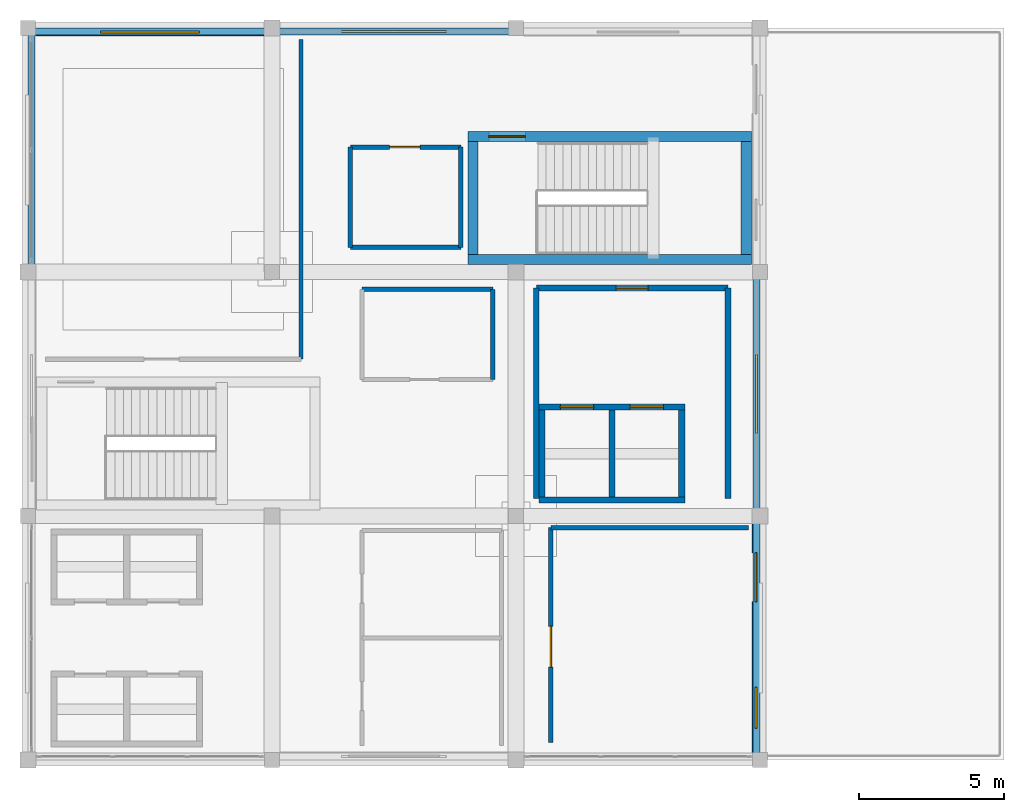
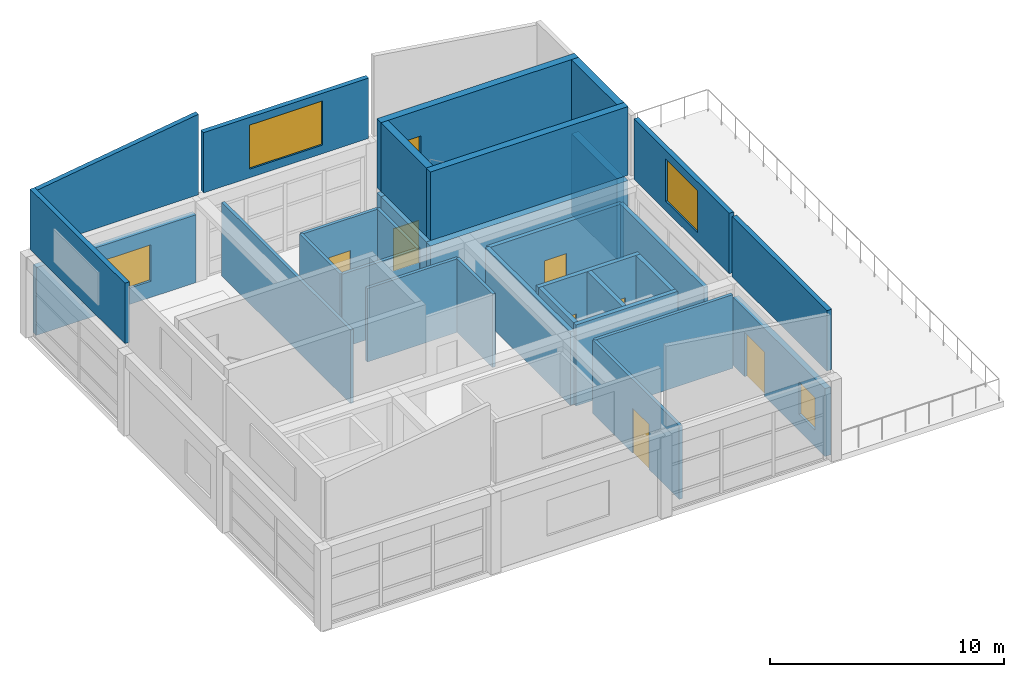
# One storey, part 15 of 17: 32 walls, 8 doors, 4 windows, 12 openings.
"""IFC4 building model written with IfcOpenShell, lengths in metres."""

from ifc_helpers import new_model, si_unit, direction, frame, frame_2d, origin, place, context, subcontext, project, spatial, polyline, rectangle, outline, extrude, material, layer, layer_set, type_object, element, fill, save


model = new_model("IFC4")

# Units and contexts
model_context = context("Model", 3, precision=1e-05, world=origin(), true_north=direction((0.0, 1.0)))
body_context = subcontext(model_context, "Body", "Model", "MODEL_VIEW")
ifc_project = project(units=[si_unit("LENGTHUNIT", "METRE"), si_unit("AREAUNIT", "SQUARE_METRE"), si_unit("VOLUMEUNIT", "CUBIC_METRE"), si_unit("PLANEANGLEUNIT", "RADIAN"), si_unit("MASSUNIT", "GRAM", prefix="KILO")], contexts=[model_context])

# Site, building, storey
site_placement = place(None, origin())
site = spatial("IfcSite", under=ifc_project, at=site_placement, CompositionType="ELEMENT")
building_placement = place(site_placement, origin())
building = spatial("IfcBuilding", under=site, at=building_placement, Name="Almacenes y Pasaje Nevantli", CompositionType="ELEMENT")
storey_placement = place(building_placement, frame((0.0, 0.0, 66.699951171875)))
storey = spatial("IfcBuildingStorey", under=building, at=storey_placement, Name="L16", CompositionType="ELEMENT", Elevation=66.699951171875)

# Wall, opening, door
ifc_material_1 = material(Name="Fire-Rated Concrete Blockwork", Category="masonry")
ifc_layer_1 = layer(ifc_material_1, 0.199951171875)
ifc_layer_set_1 = layer_set([ifc_layer_1], Name="Fire-Rated Concrete Blockwork")
wall_type_1 = type_object("IfcWallType", Name="WL-COMP-200", PredefinedType="PARTITIONING", material=ifc_layer_set_1)
wall_1_placement = place(storey_placement, frame((135.10009765625, 83.449951171875, 0.0), z_axis=(0.0, 0.0, 1.0), x_axis=(1.0, 0.0, 0.0)))
wall_1 = element("IfcWall", 1, at=wall_1_placement, inside=storey, type_object=wall_type_1, Name="L16 Interior Partition Wall IW-200 #276", PredefinedType="PARTITIONING", context=body_context, shape_type="SweptSolid", body=[
    extrude(rectangle(XDim=6.599853515625, YDim=0.199951171875, at=frame_2d((3.2998046875, 0.0))), origin(), (0.0, 0.0, 1.0), 3.840087890625),
])
opening_1_placement = place(wall_1_placement, frame((2.75, 0.0, 0.0)))
opening_1 = element("IfcOpeningElement", 2, at=opening_1_placement, cuts=wall_1, Name="Opening ID-L16-145", PredefinedType="OPENING", context=body_context, shape_type="SweptSolid", body=[
    extrude(rectangle(XDim=1.10009765625, YDim=2.199951171875, at=frame_2d((0.550048828125, 1.10009765625))), frame((0.0, 0.10986328125, 0.0), z_axis=(0.0, -1.0, 0.0), x_axis=(1.0, 0.0, 0.0)), (0.0, 0.0, 1.0), 0.219970703125),
])
ifc_material_2 = material(Name="Galvanized Fire-Rated Steel", Category="steel")
door_type_1 = type_object("IfcDoorType", Name="DR-FD90-1100R", OperationType="SINGLE_SWING_RIGHT", PredefinedType="DOOR", material=ifc_material_2)
door_1_placement = place(opening_1_placement, origin())
door_1 = element("IfcDoor", 3, at=door_1_placement, inside=storey, type_object=door_type_1, Name="L16 Firefighting Lobby Door", OperationType="SINGLE_SWING_RIGHT", OverallHeight=2.199951171875, OverallWidth=1.10009765625, PredefinedType="DOOR", context=body_context, shape_type="SweptSolid", body=[
    extrude(rectangle(XDim=1.10009765625, YDim=2.199951171875, at=frame_2d((0.550048828125, 1.10009765625))), frame((0.0, 0.02490234375, 0.0), z_axis=(0.0, -1.0, 0.0), x_axis=(1.0, 0.0, 0.0)), (0.0, 0.0, 1.0), 0.050048828125),
])
fill(opening_1, door_1)

# Walls
for number, where, z_axis, x_axis, name in (
    (4, (135.10009765625, 76.199951171875, 0.0), (0.0, 0.0, 1.0), (0.0, 1.0, 0.0), "L16 Interior Partition Wall IW-200 #277"),
    (5, (141.699951171875, 76.199951171875, 0.0), (0.0, 0.0, 1.0), (0.0, 1.0, 0.0), "L16 Interior Partition Wall IW-200 #278"),
):
    element("IfcWall", number, at=place(storey_placement, frame(where, z_axis=z_axis, x_axis=x_axis)), inside=storey, type_object=wall_type_1, Name=name, PredefinedType="PARTITIONING", context=body_context, shape_type="SweptSolid", body=[
        extrude(rectangle(XDim=7.25, YDim=0.199951171875, at=frame_2d((3.625, 0.0))), origin(), (0.0, 0.0, 1.0), 3.840087890625),
    ])
ifc_material_3 = material(Name="Concrete C45/55", Category="concrete")
ifc_layer_2 = layer(ifc_material_3, 0.35009765625)
ifc_layer_set_2 = layer_set([ifc_layer_2], Name="Concrete C45/55")
wall_type_2 = type_object("IfcWallType", Name="WL-CORE-350", PredefinedType="SHEAR", material=ifc_layer_set_2)
wall_2_placement = place(storey_placement, frame((132.75, 84.425048828125, 0.0), z_axis=(0.0, 0.0, 1.0), x_axis=(1.0, 0.0, 0.0)))
element("IfcWall", 6, at=wall_2_placement, inside=storey, type_object=wall_type_2, Name="L16 Exit Stair ST-02 South Core Shear Wall", PredefinedType="SHEAR", context=body_context, shape_type="SweptSolid", body=[
    extrude(rectangle(XDim=9.75, YDim=0.35009765625, at=frame_2d((4.875, 0.0))), origin(), (0.0, 0.0, 1.0), 4.219970703125),
])

# Wall, opening, door
wall_3_placement = place(storey_placement, frame((132.75, 88.6650390625, 0.0), z_axis=(0.0, 0.0, 1.0), x_axis=(1.0, 0.0, 0.0)))
wall_3 = element("IfcWall", 7, at=wall_3_placement, inside=storey, type_object=wall_type_2, Name="L16 Exit Stair ST-02 North Core Shear Wall", PredefinedType="SHEAR", context=body_context, shape_type="SweptSolid", body=[
    extrude(rectangle(XDim=9.75, YDim=0.35009765625, at=frame_2d((4.875, 0.0))), origin(), (0.0, 0.0, 1.0), 4.219970703125),
])
opening_2_placement = place(wall_3_placement, frame((0.719970703125, 0.0, 0.0)))
opening_2 = element("IfcOpeningElement", 8, at=opening_2_placement, cuts=wall_3, Name="Opening SD-02-L16", PredefinedType="OPENING", context=body_context, shape_type="SweptSolid", body=[
    extrude(rectangle(XDim=1.25, YDim=2.199951171875, at=frame_2d((0.625, 1.10009765625))), frame((0.0, 0.18505859375, 0.0), z_axis=(0.0, -1.0, 0.0), x_axis=(1.0, 0.0, 0.0)), (0.0, 0.0, 1.0), 0.3701171875),
])
ifc_material_4 = material(Name="Galvanized Fire-Rated Steel", Category="steel")
door_type_2 = type_object("IfcDoorType", Name="DR-STAIR-1250R", OperationType="SINGLE_SWING_RIGHT", PredefinedType="DOOR", material=ifc_material_4)
door_2_placement = place(opening_2_placement, origin())
door_2 = element("IfcDoor", 9, at=door_2_placement, inside=storey, type_object=door_type_2, Name="L16 Smokeproof Exit Stair ST-02 Fire Door", OperationType="SINGLE_SWING_RIGHT", OverallHeight=2.199951171875, OverallWidth=1.25, PredefinedType="DOOR", context=body_context, shape_type="SweptSolid", body=[
    extrude(rectangle(XDim=1.25, YDim=2.199951171875, at=frame_2d((0.625, 1.10009765625))), frame((0.0, 0.02490234375, 0.0), z_axis=(0.0, -1.0, 0.0), x_axis=(1.0, 0.0, 0.0)), (0.0, 0.0, 1.0), 0.050048828125),
])
fill(opening_2, door_2)

# Walls
for number, where, z_axis, x_axis, name in (
    (10, (132.925048828125, 84.60009765625, 0.0), (0.0, 0.0, 1.0), (0.0, 1.0, 0.0), "L16 Exit Stair ST-02 West Core Shear Wall"),
    (11, (142.324951171875, 84.60009765625, 0.0), (0.0, 0.0, 1.0), (0.0, 1.0, 0.0), "L16 Exit Stair ST-02 East Core Shear Wall"),
):
    element("IfcWall", number, at=place(storey_placement, frame(where, z_axis=z_axis, x_axis=x_axis)), inside=storey, type_object=wall_type_2, Name=name, PredefinedType="SHEAR", context=body_context, shape_type="SweptSolid", body=[
        extrude(rectangle(XDim=3.889892578125, YDim=0.35009765625, at=frame_2d((1.94482421875, 0.0))), origin(), (0.0, 0.0, 1.0), 4.219970703125),
    ])
wall_4_placement = place(storey_placement, frame((132.75, 84.425048828125, 4.5), z_axis=(0.0, 0.0, 1.0), x_axis=(1.0, 0.0, 0.0)))
element("IfcWall", 12, at=wall_4_placement, inside=storey, type_object=wall_type_2, Name="L16 Crown Stair ST-02 Headhouse South Wall", PredefinedType="SHEAR", context=body_context, shape_type="SweptSolid", body=[
    extrude(rectangle(XDim=9.75, YDim=0.35009765625, at=frame_2d((4.875, 0.0))), origin(), (0.0, 0.0, 1.0), 3.580078125),
])

# Wall, opening, door
wall_5_placement = place(storey_placement, frame((132.75, 88.6650390625, 4.5), z_axis=(0.0, 0.0, 1.0), x_axis=(1.0, 0.0, 0.0)))
wall_5 = element("IfcWall", 13, at=wall_5_placement, inside=storey, type_object=wall_type_2, Name="L16 Crown Stair ST-02 Headhouse North Wall", PredefinedType="SHEAR", context=body_context, shape_type="SweptSolid", body=[
    extrude(rectangle(XDim=9.75, YDim=0.35009765625, at=frame_2d((4.875, 0.0))), origin(), (0.0, 0.0, 1.0), 3.580078125),
])
opening_3_placement = place(wall_5_placement, frame((0.719970703125, 0.0, 0.0)))
opening_3 = element("IfcOpeningElement", 14, at=opening_3_placement, cuts=wall_5, Name="Opening SD-02-CR", PredefinedType="OPENING", context=body_context, shape_type="SweptSolid", body=[
    extrude(rectangle(XDim=1.25, YDim=2.199951171875, at=frame_2d((0.625, 1.10009765625))), frame((0.0, 0.18505859375, 0.0), z_axis=(0.0, -1.0, 0.0), x_axis=(1.0, 0.0, 0.0)), (0.0, 0.0, 1.0), 0.3701171875),
])
ifc_material_5 = material(Name="Galvanized Fire-Rated Steel", Category="steel")
door_type_3 = type_object("IfcDoorType", Name="DR-STAIR-1250", OperationType="SINGLE_SWING_LEFT", PredefinedType="DOOR", material=ifc_material_5)
door_3_placement = place(opening_3_placement, origin())
door_3 = element("IfcDoor", 15, at=door_3_placement, inside=storey, type_object=door_type_3, Name="L16 Crown Mechanical Penthouse Stair ST-02 Door", OperationType="SINGLE_SWING_LEFT", OverallHeight=2.199951171875, OverallWidth=1.25, PredefinedType="DOOR", context=body_context, shape_type="SweptSolid", body=[
    extrude(rectangle(XDim=1.25, YDim=2.199951171875, at=frame_2d((0.625, 1.10009765625))), frame((0.0, 0.02490234375, 0.0), z_axis=(0.0, -1.0, 0.0), x_axis=(1.0, 0.0, 0.0)), (0.0, 0.0, 1.0), 0.050048828125),
])
fill(opening_3, door_3)

# Walls
for number, where, z_axis, x_axis, name in (
    (16, (132.925048828125, 84.60009765625, 4.5), (0.0, 0.0, 1.0), (0.0, 1.0, 0.0), "L16 Crown Stair ST-02 Headhouse West Wall"),
    (17, (142.324951171875, 84.60009765625, 4.5), (0.0, 0.0, 1.0), (0.0, 1.0, 0.0), "L16 Crown Stair ST-02 Headhouse East Wall"),
):
    element("IfcWall", number, at=place(storey_placement, frame(where, z_axis=z_axis, x_axis=x_axis)), inside=storey, type_object=wall_type_2, Name=name, PredefinedType="SHEAR", context=body_context, shape_type="SweptSolid", body=[
        extrude(rectangle(XDim=3.889892578125, YDim=0.35009765625, at=frame_2d((1.94482421875, 0.0))), origin(), (0.0, 0.0, 1.0), 3.580078125),
    ])

# Wall, opening, window
ifc_material_6 = material(Name="Architectural Precast Concrete C35/45 Spandrel Wall", Category="concrete")
ifc_layer_3 = layer(ifc_material_6, 0.280029296875)
ifc_layer_set_3 = layer_set([ifc_layer_3], Name="Architectural Precast Concrete C35/45 Spandrel Wall")
wall_type_3 = type_object("IfcWallType", Name="WL-EXT-CANTERA-280", PredefinedType="SOLIDWALL", material=ifc_layer_set_3)
wall_6_placement = place(storey_placement, frame((117.85205078125, 92.260009765625, 0.0), z_axis=(0.0, 0.0, 1.0), x_axis=(1.0, 0.0, 0.0)))
wall_6 = element("IfcWall", 18, at=wall_6_placement, inside=storey, type_object=wall_type_3, Name="L16 Tower North Polychrome Cantera Wall Bay 15", PredefinedType="SOLIDWALL", context=body_context, shape_type="SweptSolid", body=[
    extrude(rectangle(XDim=7.869873046875, YDim=0.280029296875, at=frame_2d((3.93505859375, 0.0))), origin(), (0.0, 0.0, 1.0), 3.5400390625),
])
opening_4_placement = place(wall_6_placement, frame((2.248046875, 0.0, 0.85009765625)))
opening_4 = element("IfcOpeningElement", 19, at=opening_4_placement, cuts=wall_6, Name="Opening WT-27-282", PredefinedType="OPENING", context=body_context, shape_type="SweptSolid", body=[
    extrude(rectangle(XDim=3.39990234375, YDim=1.89990234375, at=frame_2d((1.699951171875, 0.949951171875))), frame((0.0, 0.14990234375, 0.0), z_axis=(0.0, -1.0, 0.0), x_axis=(1.0, 0.0, 0.0)), (0.0, 0.0, 1.0), 0.300048828125),
])
ifc_material_7 = material(Name="Thermally Broken Aluminium and Low-E Double Glazing", Category="aluminium")
window_type_1 = type_object("IfcWindowType", Name="WN-TWR-3400x1900", PartitioningType="SINGLE_PANEL", PredefinedType="WINDOW", material=ifc_material_7)
window_1_placement = place(opening_4_placement, origin())
window_1 = element("IfcWindow", 20, at=window_1_placement, inside=storey, type_object=window_type_1, Name="L16 Exterior Window WT-27 #282", OverallHeight=1.89990234375, OverallWidth=3.39990234375, PartitioningType="SINGLE_PANEL", PredefinedType="WINDOW", context=body_context, shape_type="SweptSolid", body=[
    extrude(rectangle(XDim=3.39990234375, YDim=1.89990234375, at=frame_2d((1.699951171875, 0.949951171875))), frame((0.0, 0.030029296875, 0.0), z_axis=(0.0, -1.0, 0.0), x_axis=(1.0, 0.0, 0.0)), (0.0, 0.0, 1.0), 0.06005859375),
])
fill(opening_4, window_1)

# Wall, openings, door, window
wall_7_placement = place(storey_placement, frame((142.659912109375, 67.4541015625, 0.0), z_axis=(0.0, 0.0, 1.0), x_axis=(0.0, 1.0, 0.0)))
wall_7 = element("IfcWall", 21, at=wall_7_placement, inside=storey, type_object=wall_type_3, Name="L16 Penthouse East Belvedere Terrace Wall Bay 9", PredefinedType="SOLIDWALL", context=body_context, shape_type="SweptSolid", body=[
    extrude(rectangle(XDim=7.867919921875, YDim=0.280029296875, at=frame_2d((3.93408203125, 0.0))), origin(), (0.0, 0.0, 1.0), 3.5400390625),
])
opening_5_placement = place(wall_7_placement, frame((0.845947265625, 0.0, 0.85009765625)))
opening_5 = element("IfcOpeningElement", 22, at=opening_5_placement, cuts=wall_7, Name="Opening WT-34-285", PredefinedType="OPENING", context=body_context, shape_type="SweptSolid", body=[
    extrude(rectangle(XDim=1.39990234375, YDim=1.699951171875, at=frame_2d((0.699951171875, 0.85009765625))), frame((0.0, 0.14990234375, 0.0), z_axis=(0.0, -1.0, 0.0), x_axis=(1.0, 0.0, 0.0)), (0.0, 0.0, 1.0), 0.300048828125),
])
opening_6_placement = place(wall_7_placement, frame((5.196044921875, 0.0, 0.0)))
opening_6 = element("IfcOpeningElement", 23, at=opening_6_placement, cuts=wall_7, Name="Opening ED-L16-043", PredefinedType="OPENING", context=body_context, shape_type="SweptSolid", body=[
    extrude(rectangle(XDim=1.679931640625, YDim=2.300048828125, at=frame_2d((0.83984375, 1.14990234375))), frame((0.0, 0.14990234375, 0.0), z_axis=(0.0, -1.0, 0.0), x_axis=(1.0, 0.0, 0.0)), (0.0, 0.0, 1.0), 0.300048828125),
])
ifc_material_8 = material(Name="Anodized Aluminium and Safety Glass", Category="aluminium")
door_type_4 = type_object("IfcDoorType", Name="DR-EXT-TER-1680", OperationType="DOUBLE_DOOR_SINGLE_SWING", PredefinedType="DOOR", material=ifc_material_8)
door_4_placement = place(opening_6_placement, origin())
door_4 = element("IfcDoor", 24, at=door_4_placement, inside=storey, type_object=door_type_4, Name="L16 Penthouse to Belvedere Terrace Door #1", OperationType="DOUBLE_DOOR_SINGLE_SWING", OverallHeight=2.300048828125, OverallWidth=1.679931640625, PredefinedType="DOOR", context=body_context, shape_type="SweptSolid", body=[
    extrude(rectangle(XDim=1.679931640625, YDim=2.300048828125, at=frame_2d((0.83984375, 1.14990234375))), frame((0.0, 0.02490234375, 0.0), z_axis=(0.0, -1.0, 0.0), x_axis=(1.0, 0.0, 0.0)), (0.0, 0.0, 1.0), 0.050048828125),
])
fill(opening_6, door_4)
ifc_material_9 = material(Name="Thermally Broken Aluminium and Low-E Double Glazing", Category="aluminium")
window_type_2 = type_object("IfcWindowType", Name="WN-TWR-1400x1700", PartitioningType="SINGLE_PANEL", PredefinedType="WINDOW", material=ifc_material_9)
window_2_placement = place(opening_5_placement, origin())
window_2 = element("IfcWindow", 25, at=window_2_placement, inside=storey, type_object=window_type_2, Name="L16 Exterior Window WT-34 #285", OverallHeight=1.699951171875, OverallWidth=1.39990234375, PartitioningType="SINGLE_PANEL", PredefinedType="WINDOW", context=body_context, shape_type="SweptSolid", body=[
    extrude(rectangle(XDim=1.39990234375, YDim=1.699951171875, at=frame_2d((0.699951171875, 0.85009765625))), frame((0.0, 0.030029296875, 0.0), z_axis=(0.0, -1.0, 0.0), x_axis=(1.0, 0.0, 0.0)), (0.0, 0.0, 1.0), 0.06005859375),
])
fill(opening_5, window_2)

# Wall
ifc_material_10 = material(Name="Architectural Precast Concrete C35/45 Crown Wall", Category="concrete")
ifc_layer_4 = layer(ifc_material_10, 0.22998046875)
ifc_layer_set_4 = layer_set([ifc_layer_4], Name="Architectural Precast Concrete C35/45 Crown Wall")
wall_type_4 = type_object("IfcWallType", Name="WL-EXT-CROWN-230", PredefinedType="SOLIDWALL", material=ifc_layer_set_4)
wall_8_placement = place(storey_placement, frame((117.76611328125, 92.280029296875, 4.5), z_axis=(0.0, 0.0, 1.0), x_axis=(1.0, 0.0, 0.0)))
element("IfcWall", 26, at=wall_8_placement, inside=storey, type_object=wall_type_4, Name="L16 Broken-Pediment Crown North West Wing Wall", PredefinedType="SOLIDWALL", context=body_context, shape_type="SweptSolid", body=[
    extrude(outline(polyline([(0.0, 0.0), (8.10400390625, 0.0), (8.10400390625, 4.199951171875), (4.052001953125, 3.60009765625), (0.0, 3.0), (0.0, 0.0)])), frame((0.0, 0.114990234375, 0.0), z_axis=(0.0, -1.0, 0.0), x_axis=(1.0, 0.0, 0.0)), (0.0, 0.0, 1.0), 0.22998046875),
])

# Wall, opening, window
wall_9_placement = place(storey_placement, frame((126.1298828125, 92.280029296875, 4.5), z_axis=(0.0, 0.0, 1.0), x_axis=(1.0, 0.0, 0.0)))
wall_9 = element("IfcWall", 27, at=wall_9_placement, inside=storey, type_object=wall_type_4, Name="L16 Broken-Pediment Crown North Central Oculus Wall", PredefinedType="SOLIDWALL", context=body_context, shape_type="SweptSolid", body=[
    extrude(rectangle(XDim=8.14013671875, YDim=0.22998046875, at=frame_2d((4.070068359375, 0.0))), origin(), (0.0, 0.0, 1.0), 3.150146484375),
])
opening_7_placement = place(wall_9_placement, frame((2.27001953125, 0.0, 0.449951171875)))
opening_7 = element("IfcOpeningElement", 28, at=opening_7_placement, cuts=wall_9, Name="Opening WT-01-288", PredefinedType="OPENING", context=body_context, shape_type="SweptSolid", body=[
    extrude(rectangle(XDim=3.60009765625, YDim=2.300048828125, at=frame_2d((1.800048828125, 1.14990234375))), frame((0.0, 0.125, 0.0), z_axis=(0.0, -1.0, 0.0), x_axis=(1.0, 0.0, 0.0)), (0.0, 0.0, 1.0), 0.25),
])
ifc_material_11 = material(Name="Thermally Broken Aluminium and Low-E Double Glazing", Category="aluminium")
window_type_3 = type_object("IfcWindowType", Name="WN-OCU-3600", PartitioningType="SINGLE_PANEL", PredefinedType="WINDOW", material=ifc_material_11)
window_3_placement = place(opening_7_placement, origin())
window_3 = element("IfcWindow", 29, at=window_3_placement, inside=storey, type_object=window_type_3, Name="L16 Exterior Window WT-01 #288", OverallHeight=2.300048828125, OverallWidth=3.60009765625, PartitioningType="SINGLE_PANEL", PredefinedType="WINDOW", context=body_context, shape_type="SweptSolid", body=[
    extrude(rectangle(XDim=3.60009765625, YDim=2.300048828125, at=frame_2d((1.800048828125, 1.14990234375))), frame((0.0, 0.030029296875, 0.0), z_axis=(0.0, -1.0, 0.0), x_axis=(1.0, 0.0, 0.0)), (0.0, 0.0, 1.0), 0.06005859375),
])
fill(opening_7, window_3)

# Walls
for number, where, z_axis, x_axis, name in (
    (30, (117.719970703125, 84.1298828125, 4.5), (0.0, 0.0, 1.0), (0.0, 1.0, 0.0), "L16 Crown West Enclosure Wall Bay 3"),
    (31, (142.679931640625, 67.365966796875, 4.5), (0.0, 0.0, 1.0), (0.0, 1.0, 0.0), "L16 Crown East Enclosure Wall Bay 1"),
):
    element("IfcWall", number, at=place(storey_placement, frame(where, z_axis=z_axis, x_axis=x_axis)), inside=storey, type_object=wall_type_4, Name=name, PredefinedType="SOLIDWALL", context=body_context, shape_type="SweptSolid", body=[
        extrude(rectangle(XDim=8.10400390625, YDim=0.22998046875, at=frame_2d((4.052001953125, 0.0))), origin(), (0.0, 0.0, 1.0), 3.150146484375),
    ])

# Wall, opening, window
wall_10_placement = place(storey_placement, frame((142.679931640625, 75.72998046875, 4.5), z_axis=(0.0, 0.0, 1.0), x_axis=(0.0, 1.0, 0.0)))
wall_10 = element("IfcWall", 32, at=wall_10_placement, inside=storey, type_object=wall_type_4, Name="L16 Crown East Enclosure Wall Bay 2", PredefinedType="SOLIDWALL", context=body_context, shape_type="SweptSolid", body=[
    extrude(rectangle(XDim=8.14013671875, YDim=0.22998046875, at=frame_2d((4.070068359375, 0.0))), origin(), (0.0, 0.0, 1.0), 3.150146484375),
])
opening_8_placement = place(wall_10_placement, frame((2.719970703125, 0.0, 0.5)))
opening_8 = element("IfcOpeningElement", 33, at=opening_8_placement, cuts=wall_10, Name="Opening WT-04-291", PredefinedType="OPENING", context=body_context, shape_type="SweptSolid", body=[
    extrude(rectangle(XDim=2.699951171875, YDim=2.199951171875, at=frame_2d((1.35009765625, 1.10009765625))), frame((0.0, 0.125, 0.0), z_axis=(0.0, -1.0, 0.0), x_axis=(1.0, 0.0, 0.0)), (0.0, 0.0, 1.0), 0.25),
])
ifc_material_12 = material(Name="Thermally Broken Aluminium and Low-E Double Glazing", Category="aluminium")
window_type_4 = type_object("IfcWindowType", Name="WN-OCU-2700", PartitioningType="SINGLE_PANEL", PredefinedType="WINDOW", material=ifc_material_12)
window_4_placement = place(opening_8_placement, origin())
window_4 = element("IfcWindow", 34, at=window_4_placement, inside=storey, type_object=window_type_4, Name="L16 Exterior Window WT-04 #291", OverallHeight=2.199951171875, OverallWidth=2.699951171875, PartitioningType="SINGLE_PANEL", PredefinedType="WINDOW", context=body_context, shape_type="SweptSolid", body=[
    extrude(rectangle(XDim=2.699951171875, YDim=2.199951171875, at=frame_2d((1.35009765625, 1.10009765625))), frame((0.0, 0.030029296875, 0.0), z_axis=(0.0, -1.0, 0.0), x_axis=(1.0, 0.0, 0.0)), (0.0, 0.0, 1.0), 0.06005859375),
])
fill(opening_8, window_4)

# Walls
ifc_material_13 = material(Name="Acoustic Steel-Stud Gypsum Partition", Category="steel")
ifc_layer_5 = layer(ifc_material_13, 0.14990234375)
ifc_layer_set_5 = layer_set([ifc_layer_5], Name="Acoustic Steel-Stud Gypsum Partition")
wall_type_5 = type_object("IfcWallType", Name="WL-PART-150", PredefinedType="PARTITIONING", material=ifc_layer_set_5)
wall_11_placement = place(storey_placement, frame((129.10009765625, 83.39990234375, 0.0), z_axis=(0.0, 0.0, 1.0), x_axis=(1.0, 0.0, 0.0)))
element("IfcWall", 35, at=wall_11_placement, inside=storey, type_object=wall_type_5, Name="L16 Interior Partition Wall IW-150 #280", PredefinedType="PARTITIONING", context=body_context, shape_type="SweptSolid", body=[
    extrude(rectangle(XDim=4.5, YDim=0.14990234375, at=frame_2d((2.25, 0.0))), origin(), (0.0, 0.0, 1.0), 3.840087890625),
])
wall_12_placement = place(storey_placement, frame((133.60009765625, 80.300048828125, 0.0), z_axis=(0.0, 0.0, 1.0), x_axis=(0.0, 1.0, 0.0)))
element("IfcWall", 36, at=wall_12_placement, inside=storey, type_object=wall_type_5, Name="L16 Interior Partition Wall IW-150 #282", PredefinedType="PARTITIONING", context=body_context, shape_type="SweptSolid", body=[
    extrude(rectangle(XDim=3.099853515625, YDim=0.14990234375, at=frame_2d((1.5498046875, 0.0))), origin(), (0.0, 0.0, 1.0), 3.840087890625),
])

# Wall, opening, door
wall_13_placement = place(storey_placement, frame((128.699951171875, 88.300048828125, 0.0), z_axis=(0.0, 0.0, 1.0), x_axis=(1.0, 0.0, 0.0)))
wall_13 = element("IfcWall", 37, at=wall_13_placement, inside=storey, type_object=wall_type_5, Name="L16 Interior Partition Wall IW-150 #283", PredefinedType="PARTITIONING", context=body_context, shape_type="SweptSolid", body=[
    extrude(rectangle(XDim=3.800048828125, YDim=0.14990234375, at=frame_2d((1.89990234375, 0.0))), origin(), (0.0, 0.0, 1.0), 3.840087890625),
])
opening_9_placement = place(wall_13_placement, frame((1.35009765625, 0.0, 0.0)))
opening_9 = element("IfcOpeningElement", 38, at=opening_9_placement, cuts=wall_13, Name="Opening ID-L16-147", PredefinedType="OPENING", context=body_context, shape_type="SweptSolid", body=[
    extrude(rectangle(XDim=1.050048828125, YDim=2.14990234375, at=frame_2d((0.52490234375, 1.074951171875))), frame((0.0, 0.0849609375, 0.0), z_axis=(0.0, -1.0, 0.0), x_axis=(1.0, 0.0, 0.0)), (0.0, 0.0, 1.0), 0.169921875),
])
ifc_material_14 = material(Name="Powder-Coated Hollow Metal", Category="steel")
door_type_5 = type_object("IfcDoorType", Name="DR-ACC-1050", OperationType="SINGLE_SWING_RIGHT", PredefinedType="DOOR", material=ifc_material_14)
door_5_placement = place(opening_9_placement, origin())
door_5 = element("IfcDoor", 39, at=door_5_placement, inside=storey, type_object=door_type_5, Name="L16 Accessible WC Door", OperationType="SINGLE_SWING_RIGHT", OverallHeight=2.14990234375, OverallWidth=1.050048828125, PredefinedType="DOOR", context=body_context, shape_type="SweptSolid", body=[
    extrude(rectangle(XDim=1.050048828125, YDim=2.14990234375, at=frame_2d((0.52490234375, 1.074951171875))), frame((0.0, 0.02490234375, 0.0), z_axis=(0.0, -1.0, 0.0), x_axis=(1.0, 0.0, 0.0)), (0.0, 0.0, 1.0), 0.050048828125),
])
fill(opening_9, door_5)

# Walls
wall_14_placement = place(storey_placement, frame((128.699951171875, 84.85009765625, 0.0), z_axis=(0.0, 0.0, 1.0), x_axis=(1.0, 0.0, 0.0)))
element("IfcWall", 40, at=wall_14_placement, inside=storey, type_object=wall_type_5, Name="L16 Interior Partition Wall IW-150 #284", PredefinedType="PARTITIONING", context=body_context, shape_type="SweptSolid", body=[
    extrude(rectangle(XDim=3.800048828125, YDim=0.14990234375, at=frame_2d((1.89990234375, 0.0))), origin(), (0.0, 0.0, 1.0), 3.840087890625),
])
for number, where, z_axis, x_axis, name in (
    (41, (128.699951171875, 84.85009765625, 0.0), (0.0, 0.0, 1.0), (0.0, 1.0, 0.0), "L16 Interior Partition Wall IW-150 #285"),
    (42, (132.5, 84.85009765625, 0.0), (0.0, 0.0, 1.0), (0.0, 1.0, 0.0), "L16 Interior Partition Wall IW-150 #286"),
):
    element("IfcWall", number, at=place(storey_placement, frame(where, z_axis=z_axis, x_axis=x_axis)), inside=storey, type_object=wall_type_5, Name=name, PredefinedType="PARTITIONING", context=body_context, shape_type="SweptSolid", body=[
        extrude(rectangle(XDim=3.449951171875, YDim=0.14990234375, at=frame_2d((1.72509765625, 0.0))), origin(), (0.0, 0.0, 1.0), 3.840087890625),
    ])
wall_15_placement = place(storey_placement, frame((127.0, 81.0, 0.0), z_axis=(0.0, 0.0, 1.0), x_axis=(0.0, 1.0, 0.0)))
element("IfcWall", 43, at=wall_15_placement, inside=storey, type_object=wall_type_5, Name="L16 Interior Partition Wall IW-150 #292", PredefinedType="PARTITIONING", context=body_context, shape_type="SweptSolid", body=[
    extrude(rectangle(XDim=11.0, YDim=0.14990234375, at=frame_2d((5.5, 0.0))), origin(), (0.0, 0.0, 1.0), 3.840087890625),
])

# Wall, opening, door
wall_16_placement = place(storey_placement, frame((135.60009765625, 67.800048828125, 0.0), z_axis=(0.0, 0.0, 1.0), x_axis=(0.0, 1.0, 0.0)))
wall_16 = element("IfcWall", 44, at=wall_16_placement, inside=storey, type_object=wall_type_5, Name="L16 Interior Partition Wall IW-150 #293", PredefinedType="PARTITIONING", context=body_context, shape_type="SweptSolid", body=[
    extrude(rectangle(XDim=7.39990234375, YDim=0.14990234375, at=frame_2d((3.699951171875, 0.0))), origin(), (0.0, 0.0, 1.0), 3.840087890625),
])
opening_10_placement = place(wall_16_placement, frame((2.60009765625, 0.0, 0.0)))
opening_10 = element("IfcOpeningElement", 45, at=opening_10_placement, cuts=wall_16, Name="Opening ID-L16-151", PredefinedType="OPENING", context=body_context, shape_type="SweptSolid", body=[
    extrude(rectangle(XDim=1.39990234375, YDim=2.35009765625, at=frame_2d((0.699951171875, 1.175048828125))), frame((0.0, 0.0849609375, 0.0), z_axis=(0.0, -1.0, 0.0), x_axis=(1.0, 0.0, 0.0)), (0.0, 0.0, 1.0), 0.169921875),
])
ifc_material_15 = material(Name="Framed Tempered Safety Glass", Category="glass")
door_type_6 = type_object("IfcDoorType", Name="DR-GLZ-1400", OperationType="DOUBLE_DOOR_SINGLE_SWING", PredefinedType="DOOR", material=ifc_material_15)
door_6_placement = place(opening_10_placement, origin())
door_6 = element("IfcDoor", 46, at=door_6_placement, inside=storey, type_object=door_type_6, Name="L16 L16 Penthouse Reception Door", OperationType="DOUBLE_DOOR_SINGLE_SWING", OverallHeight=2.35009765625, OverallWidth=1.39990234375, PredefinedType="DOOR", context=body_context, shape_type="SweptSolid", body=[
    extrude(rectangle(XDim=1.39990234375, YDim=2.35009765625, at=frame_2d((0.699951171875, 1.175048828125))), frame((0.0, 0.02490234375, 0.0), z_axis=(0.0, -1.0, 0.0), x_axis=(1.0, 0.0, 0.0)), (0.0, 0.0, 1.0), 0.050048828125),
])
fill(opening_10, door_6)

# Walls
wall_17_placement = place(storey_placement, frame((135.60009765625, 75.199951171875, 0.0), z_axis=(0.0, 0.0, 1.0), x_axis=(1.0, 0.0, 0.0)))
element("IfcWall", 47, at=wall_17_placement, inside=storey, type_object=wall_type_5, Name="L16 Interior Partition Wall IW-150 #294", PredefinedType="PARTITIONING", context=body_context, shape_type="SweptSolid", body=[
    extrude(rectangle(XDim=6.7998046875, YDim=0.14990234375, at=frame_2d((3.39990234375, 0.0))), origin(), (0.0, 0.0, 1.0), 3.840087890625),
])
ifc_material_16 = material(Name="Concrete C45/55", Category="concrete")
ifc_layer_6 = layer(ifc_material_16, 0.2099609375)
ifc_layer_set_6 = layer_set([ifc_layer_6], Name="Concrete C45/55")
wall_type_6 = type_object("IfcWallType", Name="WL-SHAFT-210", PredefinedType="SHEAR", material=ifc_layer_set_6)
wall_18_placement = place(storey_placement, frame((135.18994140625, 76.14501953125, 0.0), z_axis=(0.0, 0.0, 1.0), x_axis=(1.0, 0.0, 0.0)))
element("IfcWall", 48, at=wall_18_placement, inside=storey, type_object=wall_type_6, Name="L16 Lift Hoistway ELV-FF1-ELV-FF2 South Wall", PredefinedType="SHEAR", context=body_context, shape_type="SweptSolid", body=[
    extrude(rectangle(XDim=5.02001953125, YDim=0.2099609375, at=frame_2d((2.510009765625, 0.0))), origin(), (0.0, 0.0, 1.0), 4.219970703125),
])

# Wall, openings, doors
wall_19_placement = place(storey_placement, frame((135.18994140625, 79.35498046875, 0.0), z_axis=(0.0, 0.0, 1.0), x_axis=(1.0, 0.0, 0.0)))
wall_19 = element("IfcWall", 49, at=wall_19_placement, inside=storey, type_object=wall_type_6, Name="L16 Lift Hoistway ELV-FF1-ELV-FF2 North Wall", PredefinedType="SHEAR", context=body_context, shape_type="SweptSolid", body=[
    extrude(rectangle(XDim=5.02001953125, YDim=0.2099609375, at=frame_2d((2.510009765625, 0.0))), origin(), (0.0, 0.0, 1.0), 4.219970703125),
])
opening_11_placement = place(wall_19_placement, frame((0.735107421875, 0.0, 0.0)))
opening_11 = element("IfcOpeningElement", 50, at=opening_11_placement, cuts=wall_19, Name="Opening LD-FF1-L16", PredefinedType="OPENING", context=body_context, shape_type="SweptSolid", body=[
    extrude(rectangle(XDim=1.14990234375, YDim=2.199951171875, at=frame_2d((0.574951171875, 1.10009765625))), frame((0.0, 0.114990234375, 0.0), z_axis=(0.0, -1.0, 0.0), x_axis=(1.0, 0.0, 0.0)), (0.0, 0.0, 1.0), 0.22998046875),
])
opening_12_placement = place(wall_19_placement, frame((3.135009765625, 0.0, 0.0)))
opening_12 = element("IfcOpeningElement", 51, at=opening_12_placement, cuts=wall_19, Name="Opening LD-FF2-L16", PredefinedType="OPENING", context=body_context, shape_type="SweptSolid", body=[
    extrude(rectangle(XDim=1.14990234375, YDim=2.199951171875, at=frame_2d((0.574951171875, 1.10009765625))), frame((0.0, 0.114990234375, 0.0), z_axis=(0.0, -1.0, 0.0), x_axis=(1.0, 0.0, 0.0)), (0.0, 0.0, 1.0), 0.22998046875),
])
ifc_material_17 = material(Name="Fire-Rated Stainless Steel", Category="steel")
door_type_7 = type_object("IfcDoorType", Name="DR-LD-FF-1150", OperationType="DOUBLE_DOOR_SLIDING", PredefinedType="DOOR", material=ifc_material_17)
door_7_placement = place(opening_11_placement, origin())
door_7 = element("IfcDoor", 52, at=door_7_placement, inside=storey, type_object=door_type_7, Name="Lift Landing Door ELV-FF1 L16", OperationType="DOUBLE_DOOR_SLIDING", OverallHeight=2.199951171875, OverallWidth=1.14990234375, PredefinedType="DOOR", context=body_context, shape_type="SweptSolid", body=[
    extrude(rectangle(XDim=1.14990234375, YDim=2.199951171875, at=frame_2d((0.574951171875, 1.10009765625))), frame((0.0, 0.02490234375, 0.0), z_axis=(0.0, -1.0, 0.0), x_axis=(1.0, 0.0, 0.0)), (0.0, 0.0, 1.0), 0.050048828125),
])
fill(opening_11, door_7)
door_8_placement = place(opening_12_placement, origin())
door_8 = element("IfcDoor", 53, at=door_8_placement, inside=storey, type_object=door_type_7, Name="Lift Landing Door ELV-FF2 L16", OperationType="DOUBLE_DOOR_SLIDING", OverallHeight=2.199951171875, OverallWidth=1.14990234375, PredefinedType="DOOR", context=body_context, shape_type="SweptSolid", body=[
    extrude(rectangle(XDim=1.14990234375, YDim=2.199951171875, at=frame_2d((0.574951171875, 1.10009765625))), frame((0.0, 0.02490234375, 0.0), z_axis=(0.0, -1.0, 0.0), x_axis=(1.0, 0.0, 0.0)), (0.0, 0.0, 1.0), 0.050048828125),
])
fill(opening_12, door_8)

# Walls
for number, where, z_axis, x_axis, name in (
    (54, (135.294921875, 76.25, 0.0), (0.0, 0.0, 1.0), (0.0, 1.0, 0.0), "L16 Lift Hoistway ELV-FF1 West Wall"),
    (55, (140.10498046875, 76.25, 0.0), (0.0, 0.0, 1.0), (0.0, 1.0, 0.0), "L16 Lift Hoistway ELV-FF2 East Wall"),
    (56, (137.699951171875, 76.25, 0.0), (0.0, 0.0, 1.0), (0.0, 1.0, 0.0), "L16 Lift Hoistway Divider Wall ELV-FF1/ELV-FF2"),
):
    element("IfcWall", number, at=place(storey_placement, frame(where, z_axis=z_axis, x_axis=x_axis)), inside=storey, type_object=wall_type_6, Name=name, PredefinedType="SHEAR", context=body_context, shape_type="SweptSolid", body=[
        extrude(rectangle(XDim=3.0, YDim=0.2099609375, at=frame_2d((1.5, 0.0))), origin(), (0.0, 0.0, 1.0), 4.219970703125),
    ])

save(model, "model.ifc")
